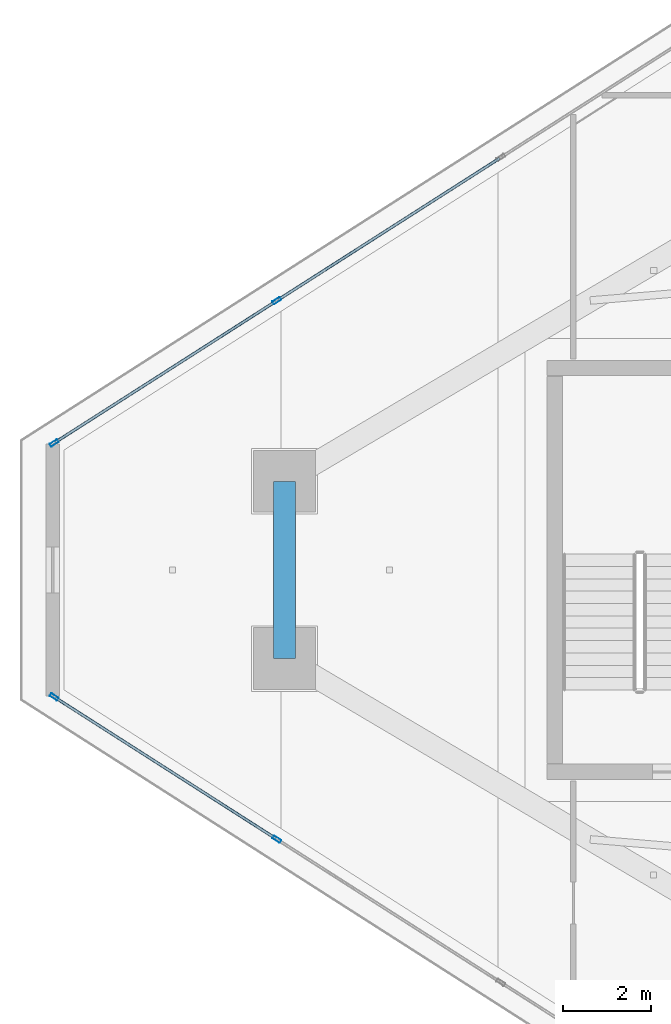
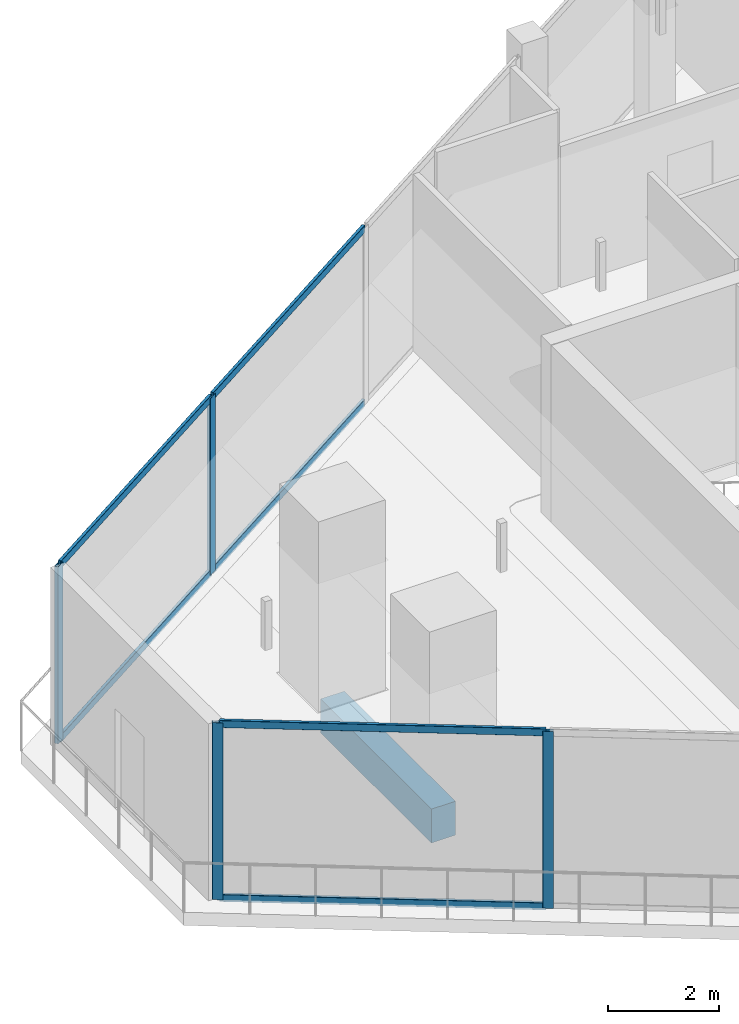
# One storey, part 5 of 25: 10 members, 1 beam, 2 elements without a shape of their own.
"""IFC4 building model written with IfcOpenShell, lengths in metres."""

from ifc_helpers import new_model, si_unit, direction, frame, origin, origin_2d, place, context, subcontext, project, spatial, rectangle, hollow_rectangle, extrude, material, layer, layer_set, material_profile, profile_set, type_object, element, aggregate, save


model = new_model("IFC4")

# Units and contexts
model_context = context("Model", 3, precision=1e-05, world=origin(), true_north=direction((0.0, 1.0)))
body_context = subcontext(model_context, "Body", "Model", "MODEL_VIEW")
ifc_project = project(units=[si_unit("LENGTHUNIT", "METRE"), si_unit("AREAUNIT", "SQUARE_METRE"), si_unit("VOLUMEUNIT", "CUBIC_METRE"), si_unit("PLANEANGLEUNIT", "RADIAN"), si_unit("MASSUNIT", "GRAM", prefix="KILO")], contexts=[model_context])

# Site, building, storey
site_placement = place(None, origin())
site = spatial("IfcSite", under=ifc_project, at=site_placement, CompositionType="ELEMENT")
building_placement = place(site_placement, origin())
building = spatial("IfcBuilding", under=site, at=building_placement, Name="Qorvath Tower", CompositionType="ELEMENT")
storey_placement = place(building_placement, frame((0.0, 0.0, 297.60009765625)))
storey = spatial("IfcBuildingStorey", under=building, at=storey_placement, Name="L69", CompositionType="ELEMENT", Elevation=297.60009765625)

# Beam
ifc_material_1 = material(Name="Concrete C45/55", Category="concrete")
ifc_material_profile_1 = material_profile(ifc_material_1, rectangle(XDim=0.5, YDim=0.75, at=origin_2d()), Name="RCB 750x500")
ifc_profile_set_1 = profile_set([ifc_material_profile_1], Name="Concrete C45/55")
beam_type = type_object("IfcBeamType", Name="BM-RCB3", PredefinedType="SPANDREL", material=ifc_profile_set_1)
beam_placement = place(storey_placement, frame((-44.402587890625, 2.007568359375, -0.6650390625), z_axis=(0.0, -1.0, 0.0), x_axis=(1.0, 0.0, 0.0)))
element("IfcBeam", 1, at=beam_placement, inside=storey, type_object=beam_type, Name="Perimeter Loggia Frame Beam MC1-MC2 L69", PredefinedType="SPANDREL", context=body_context, shape_type="SweptSolid", body=[
    extrude(rectangle(XDim=0.5, YDim=0.75, at=origin_2d()), origin(), (0.0, 0.0, 1.0), 4.01513671875),
])

# Curtain wall, members
ifc_material_2 = material(Name="Anodised aluminium and triple low-E glass", Category="aluminium")
ifc_layer = layer(ifc_material_2, 0.179931640625)
ifc_layer_set = layer_set([ifc_layer], Name="CW-SYS-5")
curtain_wall_type = type_object("IfcCurtainWallType", Name="CW-SYS-5", PredefinedType="NOTDEFINED", material=ifc_layer_set)
curtain_wall_1_placement = place(storey_placement, origin())
curtain_wall_1 = element("IfcCurtainWall", 2, at=curtain_wall_1_placement, inside=storey, type_object=curtain_wall_type, Name="Curtain Wall CW-5 CW-T-L69-2.1", PredefinedType="NOTDEFINED")
ifc_material_3 = material(Name="Anodised aluminium 6063-T6", Category="aluminium")
ifc_material_profile_2 = material_profile(ifc_material_3, hollow_rectangle(XDim=0.074951171875, YDim=0.199951171875, WallThickness=0.00390625, InnerFilletRadius=0.00390625, OuterFilletRadius=0.008056640625, at=origin_2d()), Name="CWM 200x75")
ifc_profile_set_2 = profile_set([ifc_material_profile_2], Name="Anodised aluminium 6063-T6")
member_type_1 = type_object("IfcMemberType", Name="CWM-200", PredefinedType="MULLION", material=ifc_profile_set_2)
member_1_placement = place(storey_placement, frame((-49.62158203125, -2.875, 0.0), z_axis=(0.0, 0.0, 1.0), x_axis=(0.538537046665, 0.842601833234, 0.0)))
member_1 = element("IfcMember", 3, at=member_1_placement, type_object=member_type_1, Name="CW-5 mullion 1", PredefinedType="MULLION", context=body_context, shape_type="SweptSolid", body=[
    extrude(hollow_rectangle(XDim=0.074951171875, YDim=0.199951171875, WallThickness=0.00390625, InnerFilletRadius=0.00390625, OuterFilletRadius=0.008056640625, at=origin_2d()), origin(), (0.0, 0.0, 1.0), 3.909912109375),
])
member_2_placement = place(storey_placement, frame((-44.576904296875, -6.09912109375, 0.0), z_axis=(0.0, 0.0, 1.0), x_axis=(0.538537046665, 0.842601833234, 0.0)))
member_2 = element("IfcMember", 4, at=member_2_placement, type_object=member_type_1, Name="CW-5 mullion 2", PredefinedType="MULLION", context=body_context, shape_type="SweptSolid", body=[
    extrude(hollow_rectangle(XDim=0.074951171875, YDim=0.199951171875, WallThickness=0.00390625, InnerFilletRadius=0.00390625, OuterFilletRadius=0.008056640625, at=origin_2d()), origin(), (0.0, 0.0, 1.0), 3.909912109375),
])

curtain_wall_2_placement = place(storey_placement, origin())
curtain_wall_2 = element("IfcCurtainWall", 5, at=curtain_wall_2_placement, inside=storey, type_object=curtain_wall_type, Name="Curtain Wall CW-5 CW-T-L69-16.3", PredefinedType="NOTDEFINED")
member_3_placement = place(storey_placement, frame((-44.576904296875, 6.09912109375, 0.0), z_axis=(0.0, 0.0, 1.0), x_axis=(0.538537046665, -0.842601833234, 0.0)))
member_3 = element("IfcMember", 6, at=member_3_placement, type_object=member_type_1, Name="CW-5 mullion 3", PredefinedType="MULLION", context=body_context, shape_type="SweptSolid", body=[
    extrude(hollow_rectangle(XDim=0.074951171875, YDim=0.199951171875, WallThickness=0.00390625, InnerFilletRadius=0.00390625, OuterFilletRadius=0.008056640625, at=origin_2d()), origin(), (0.0, 0.0, 1.0), 3.909912109375),
])
member_4_placement = place(storey_placement, frame((-49.62158203125, 2.875, 0.0), z_axis=(0.0, 0.0, 1.0), x_axis=(0.538537046665, -0.842601833234, 0.0)))
member_4 = element("IfcMember", 7, at=member_4_placement, type_object=member_type_1, Name="CW-5 mullion 4", PredefinedType="MULLION", context=body_context, shape_type="SweptSolid", body=[
    extrude(hollow_rectangle(XDim=0.074951171875, YDim=0.199951171875, WallThickness=0.00390625, InnerFilletRadius=0.00390625, OuterFilletRadius=0.008056640625, at=origin_2d()), origin(), (0.0, 0.0, 1.0), 3.909912109375),
])

# Member
ifc_material_4 = material(Name="Anodised aluminium 6063-T6", Category="aluminium")
ifc_material_profile_3 = material_profile(ifc_material_4, hollow_rectangle(XDim=0.06494140625, YDim=0.159912109375, WallThickness=0.00341796875, InnerFilletRadius=0.00341796875, OuterFilletRadius=0.007080078125, at=origin_2d()), Name="CWT 160x65")
ifc_profile_set_3 = profile_set([ifc_material_profile_3], Name="Anodised aluminium 6063-T6")
member_type_2 = type_object("IfcMemberType", Name="CWT-160", PredefinedType="USERDEFINED", material=ifc_profile_set_3)
member_5_placement = place(storey_placement, frame((-49.590087890625, -2.89501953125, 0.032470703125), z_axis=(0.84260048537, -0.538539155544, 0.0), x_axis=(0.538539155544, 0.84260048537, 0.0)))
member_5 = element("IfcMember", 8, at=member_5_placement, type_object=member_type_2, Name="CW-5 transom 1.1", ObjectType="TRANSOM", PredefinedType="USERDEFINED", context=body_context, shape_type="SweptSolid", body=[
    extrude(hollow_rectangle(XDim=0.06494140625, YDim=0.159912109375, WallThickness=0.00341796875, InnerFilletRadius=0.00341796875, OuterFilletRadius=0.007080078125, at=origin_2d()), origin(), (0.0, 0.0, 1.0), 5.912109375),
])

member_6_placement = place(storey_placement, frame((-49.590087890625, -2.89501953125, 3.87744140625), z_axis=(0.84260048537, -0.538539155544, 0.0), x_axis=(0.538539155544, 0.84260048537, 0.0)))
member_6 = element("IfcMember", 9, at=member_6_placement, type_object=member_type_2, Name="CW-5 transom 1.2", ObjectType="TRANSOM", PredefinedType="USERDEFINED", context=body_context, shape_type="SweptSolid", body=[
    extrude(hollow_rectangle(XDim=0.06494140625, YDim=0.159912109375, WallThickness=0.00341796875, InnerFilletRadius=0.00341796875, OuterFilletRadius=0.007080078125, at=origin_2d()), origin(), (0.0, 0.0, 1.0), 5.912109375),
])

aggregate(curtain_wall_1, [member_1, member_2, member_5, member_6])

member_7_placement = place(storey_placement, frame((-39.5322265625, 9.323486328125, 0.032470703125), z_axis=(-0.842602126192, -0.538536588299, 0.0), x_axis=(0.538536588299, -0.842602126192, 0.0)))
member_7 = element("IfcMember", 10, at=member_7_placement, type_object=member_type_2, Name="CW-5 transom 2.1", ObjectType="TRANSOM", PredefinedType="USERDEFINED", context=body_context, shape_type="SweptSolid", body=[
    extrude(hollow_rectangle(XDim=0.06494140625, YDim=0.159912109375, WallThickness=0.00341796875, InnerFilletRadius=0.00341796875, OuterFilletRadius=0.007080078125, at=origin_2d()), origin(), (0.0, 0.0, 1.0), 5.94970703125),
])

member_8_placement = place(storey_placement, frame((-39.5322265625, 9.323486328125, 3.87744140625), z_axis=(-0.842602126192, -0.538536588299, 0.0), x_axis=(0.538536588299, -0.842602126192, 0.0)))
member_8 = element("IfcMember", 11, at=member_8_placement, type_object=member_type_2, Name="CW-5 transom 2.2", ObjectType="TRANSOM", PredefinedType="USERDEFINED", context=body_context, shape_type="SweptSolid", body=[
    extrude(hollow_rectangle(XDim=0.06494140625, YDim=0.159912109375, WallThickness=0.00341796875, InnerFilletRadius=0.00341796875, OuterFilletRadius=0.007080078125, at=origin_2d()), origin(), (0.0, 0.0, 1.0), 5.94970703125),
])

member_9_placement = place(storey_placement, frame((-44.608642578125, 6.078857421875, 0.032470703125), z_axis=(-0.84260048537, -0.538539155544, 0.0), x_axis=(0.538539155544, -0.84260048537, 0.0)))
member_9 = element("IfcMember", 12, at=member_9_placement, type_object=member_type_2, Name="CW-5 transom 3.1", ObjectType="TRANSOM", PredefinedType="USERDEFINED", context=body_context, shape_type="SweptSolid", body=[
    extrude(hollow_rectangle(XDim=0.06494140625, YDim=0.159912109375, WallThickness=0.00341796875, InnerFilletRadius=0.00341796875, OuterFilletRadius=0.007080078125, at=origin_2d()), origin(), (0.0, 0.0, 1.0), 5.912109375),
])

member_10_placement = place(storey_placement, frame((-44.608642578125, 6.078857421875, 3.87744140625), z_axis=(-0.84260048537, -0.538539155544, 0.0), x_axis=(0.538539155544, -0.84260048537, 0.0)))
member_10 = element("IfcMember", 13, at=member_10_placement, type_object=member_type_2, Name="CW-5 transom 3.2", ObjectType="TRANSOM", PredefinedType="USERDEFINED", context=body_context, shape_type="SweptSolid", body=[
    extrude(hollow_rectangle(XDim=0.06494140625, YDim=0.159912109375, WallThickness=0.00341796875, InnerFilletRadius=0.00341796875, OuterFilletRadius=0.007080078125, at=origin_2d()), origin(), (0.0, 0.0, 1.0), 5.912109375),
])

aggregate(curtain_wall_2, [member_3, member_4, member_7, member_8, member_9, member_10])

save(model, "model.ifc")
